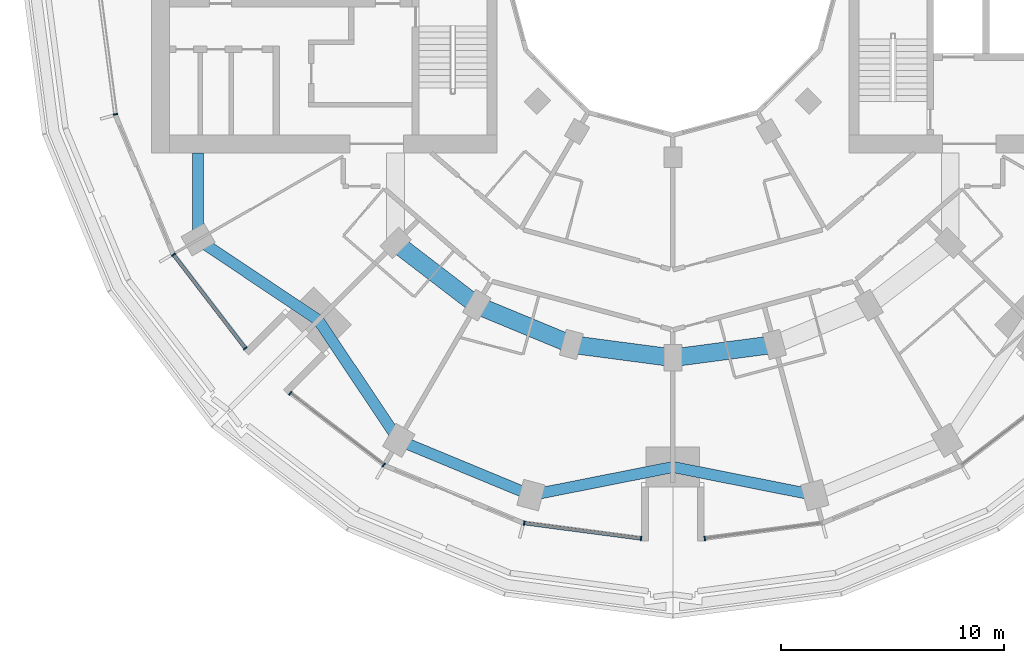
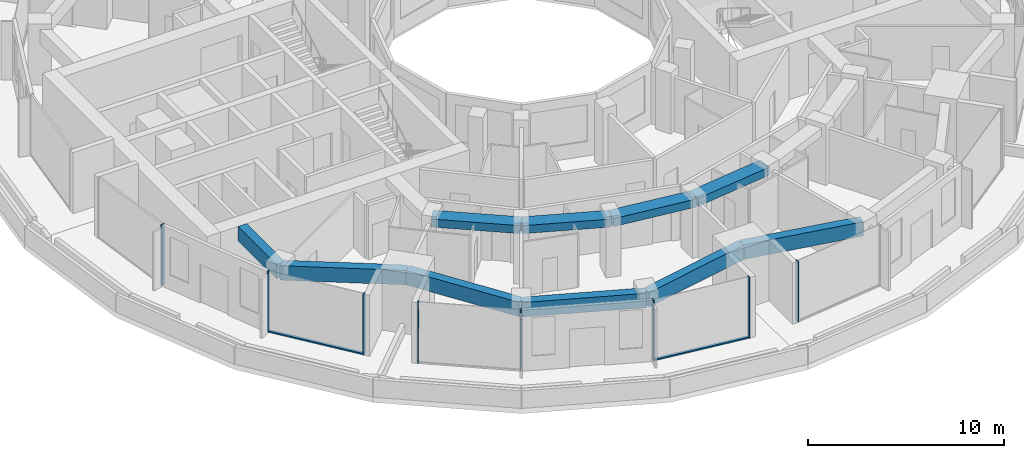
# One storey, part 2 of 19: 10 beams, 10 members, 5 elements without a shape of their own.
"""IFC4 building model written with IfcOpenShell, lengths in metres."""

from ifc_helpers import new_model, si_unit, direction, frame, origin, origin_2d, place, context, subcontext, project, spatial, rectangle, extrude, material, layer, layer_set, material_profile, profile_set, type_object, element, aggregate, save


model = new_model("IFC4")

# Units and contexts
model_context = context("Model", 3, precision=1e-05, world=origin(), true_north=direction((0.0, 1.0)))
body_context = subcontext(model_context, "Body", "Model", "MODEL_VIEW")
ifc_project = project(units=[si_unit("LENGTHUNIT", "METRE"), si_unit("AREAUNIT", "SQUARE_METRE"), si_unit("VOLUMEUNIT", "CUBIC_METRE"), si_unit("PLANEANGLEUNIT", "RADIAN"), si_unit("MASSUNIT", "GRAM", prefix="KILO")], contexts=[model_context])

# Site, building, storey
site_placement = place(None, origin())
site = spatial("IfcSite", under=ifc_project, at=site_placement, CompositionType="ELEMENT")
building_placement = place(site_placement, origin())
building = spatial("IfcBuilding", under=site, at=building_placement, Name="Torre Brocal", CompositionType="ELEMENT")
storey_placement = place(building_placement, frame((0.0, 0.0, 28.800048828125)))
storey = spatial("IfcBuildingStorey", under=building, at=storey_placement, Name="L05", CompositionType="ELEMENT", Elevation=28.800048828125)

# Curtain wall, members
ifc_material_1 = material(Name="Aluminium and glass", Category="aluminium")
ifc_layer_1 = layer(ifc_material_1, 0.199951171875)
ifc_layer_set_1 = layer_set([ifc_layer_1], Name="Aluminium and glass")
curtain_wall_type_1 = type_object("IfcCurtainWallType", Name="CW-1 CURTAIN WALL 3800 HIGH", PredefinedType="NOTDEFINED", material=ifc_layer_set_1)
curtain_wall_1_placement = place(storey_placement, origin())
curtain_wall_1 = element("IfcCurtainWall", 1, at=curtain_wall_1_placement, inside=storey, type_object=curtain_wall_type_1, Name="CW-1 RUN 15", PredefinedType="NOTDEFINED")
ifc_material_2 = material(Name="Aluminium, dark anodised", Category="aluminium")
ifc_material_profile_1 = material_profile(ifc_material_2, rectangle(XDim=0.199951171875, YDim=0.06005859375, at=origin_2d()), Name="CW-1 MULLION 60X200")
ifc_profile_set_1 = profile_set([ifc_material_profile_1], Name="Aluminium, dark anodised")
member_type_1 = type_object("IfcMemberType", Name="CW-1 MULLION 60X200", PredefinedType="MULLION", material=ifc_profile_set_1)
member_1_placement = place(storey_placement, frame((57.5888671875, 62.026611328125, 0.0), z_axis=(0.0, 0.0, 1.0), x_axis=(0.793353340259, 0.60876142905, 0.0)))
member_1 = element("IfcMember", 2, at=member_1_placement, type_object=member_type_1, Name="CW1-1 mullion 1", PredefinedType="MULLION", context=body_context, shape_type="SweptSolid", body=[
    extrude(rectangle(XDim=0.199951171875, YDim=0.06005859375, at=origin_2d()), origin(), (0.0, 0.0, 1.0), 3.800048828125),
])
member_2_placement = place(storey_placement, frame((60.80859375, 57.83056640625, 0.0), z_axis=(0.0, 0.0, 1.0), x_axis=(0.793353340259, 0.60876142905, 0.0)))
member_2 = element("IfcMember", 3, at=member_2_placement, type_object=member_type_1, Name="CW1-1 mullion 2", PredefinedType="MULLION", context=body_context, shape_type="SweptSolid", body=[
    extrude(rectangle(XDim=0.199951171875, YDim=0.06005859375, at=origin_2d()), origin(), (0.0, 0.0, 1.0), 3.800048828125),
])

curtain_wall_2_placement = place(storey_placement, origin())
curtain_wall_2 = element("IfcCurtainWall", 4, at=curtain_wall_2_placement, inside=storey, type_object=curtain_wall_type_1, Name="CW-1 RUN 16", PredefinedType="NOTDEFINED")
member_3_placement = place(storey_placement, frame((62.83056640625, 55.80859375, 0.0), z_axis=(0.0, 0.0, 1.0), x_axis=(0.60876142905, 0.793353340259, 0.0)))
member_3 = element("IfcMember", 5, at=member_3_placement, type_object=member_type_1, Name="CW1-1 mullion 1", PredefinedType="MULLION", context=body_context, shape_type="SweptSolid", body=[
    extrude(rectangle(XDim=0.199951171875, YDim=0.06005859375, at=origin_2d()), origin(), (0.0, 0.0, 1.0), 3.800048828125),
])
member_4_placement = place(storey_placement, frame((67.026611328125, 52.5888671875, 0.0), z_axis=(0.0, 0.0, 1.0), x_axis=(0.60876142905, 0.793353340259, 0.0)))
member_4 = element("IfcMember", 6, at=member_4_placement, type_object=member_type_1, Name="CW1-1 mullion 2", PredefinedType="MULLION", context=body_context, shape_type="SweptSolid", body=[
    extrude(rectangle(XDim=0.199951171875, YDim=0.06005859375, at=origin_2d()), origin(), (0.0, 0.0, 1.0), 3.800048828125),
])
aggregate(curtain_wall_2, [member_3, member_4])

curtain_wall_3_placement = place(storey_placement, origin())
curtain_wall_3 = element("IfcCurtainWall", 7, at=curtain_wall_3_placement, inside=storey, type_object=curtain_wall_type_1, Name="CW-1 RUN 18", PredefinedType="NOTDEFINED")
member_5_placement = place(storey_placement, frame((73.32666015625, 49.9794921875, 0.0), z_axis=(0.0, 0.0, 1.0), x_axis=(0.13052619222, 0.991444861374, 0.0)))
member_5 = element("IfcMember", 8, at=member_5_placement, type_object=member_type_1, Name="CW1-1 mullion 1", PredefinedType="MULLION", context=body_context, shape_type="SweptSolid", body=[
    extrude(rectangle(XDim=0.199951171875, YDim=0.06005859375, at=origin_2d()), origin(), (0.0, 0.0, 1.0), 3.800048828125),
])
member_6_placement = place(storey_placement, frame((78.5703125, 49.2890625, 0.0), z_axis=(0.0, 0.0, 1.0), x_axis=(0.13052619222, 0.991444861374, 0.0)))
member_6 = element("IfcMember", 9, at=member_6_placement, type_object=member_type_1, Name="CW1-1 mullion 2", PredefinedType="MULLION", context=body_context, shape_type="SweptSolid", body=[
    extrude(rectangle(XDim=0.199951171875, YDim=0.06005859375, at=origin_2d()), origin(), (0.0, 0.0, 1.0), 3.800048828125),
])

# Curtain wall, member
curtain_wall_4_placement = place(storey_placement, origin())
curtain_wall_4 = element("IfcCurtainWall", 10, at=curtain_wall_4_placement, inside=storey, type_object=curtain_wall_type_1, Name="CW-1 RUN 19", PredefinedType="NOTDEFINED")
member_7_placement = place(storey_placement, frame((81.4296875, 49.2890625, 0.0), z_axis=(0.0, 0.0, 1.0), x_axis=(-0.13052619222, 0.991444861374, 0.0)))
member_7 = element("IfcMember", 11, at=member_7_placement, type_object=member_type_1, Name="CW1-1 mullion 1", PredefinedType="MULLION", context=body_context, shape_type="SweptSolid", body=[
    extrude(rectangle(XDim=0.199951171875, YDim=0.06005859375, at=origin_2d()), origin(), (0.0, 0.0, 1.0), 3.800048828125),
])
aggregate(curtain_wall_4, [member_7])

# Member
ifc_material_3 = material(Name="Aluminium, dark anodised", Category="aluminium")
ifc_material_profile_2 = material_profile(ifc_material_3, rectangle(XDim=0.159912109375, YDim=0.080078125, at=origin_2d()), Name="CW-1 TRANSOM 160X80")
ifc_profile_set_2 = profile_set([ifc_material_profile_2], Name="Aluminium, dark anodised")
member_type_2 = type_object("IfcMemberType", Name="CW-1 TRANSOM 160X80", PredefinedType="USERDEFINED", material=ifc_profile_set_2)
member_8_placement = place(storey_placement, frame((57.607177734375, 62.0029296875, 0.0400390625), z_axis=(0.60874908096, -0.79336281513, 0.0), x_axis=(0.79336281513, 0.60874908096, 0.0)))
member_8 = element("IfcMember", 12, at=member_8_placement, type_object=member_type_2, Name="CW1-1 transom 1.1", ObjectType="TRANSOM", PredefinedType="USERDEFINED", context=body_context, shape_type="SweptSolid", body=[
    extrude(rectangle(XDim=0.159912109375, YDim=0.080078125, at=origin_2d()), origin(), (0.0, 0.0, 1.0), 5.22900390625),
])

aggregate(curtain_wall_1, [member_1, member_2, member_8])

member_9_placement = place(storey_placement, frame((73.356201171875, 49.9755859375, 0.0400390625), z_axis=(0.991442690863, -0.130542677827, 0.0), x_axis=(0.130542677827, 0.991442690863, 0.0)))
member_9 = element("IfcMember", 13, at=member_9_placement, type_object=member_type_2, Name="CW1-1 transom 1.1", ObjectType="TRANSOM", PredefinedType="USERDEFINED", context=body_context, shape_type="SweptSolid", body=[
    extrude(rectangle(XDim=0.159912109375, YDim=0.080078125, at=origin_2d()), origin(), (0.0, 0.0, 1.0), 5.22900390625),
])

aggregate(curtain_wall_3, [member_5, member_6, member_9])

# Curtain wall, member
ifc_material_4 = material(Name="Aluminium and glass", Category="aluminium")
ifc_layer_2 = layer(ifc_material_4, 0.199951171875)
ifc_layer_set_2 = layer_set([ifc_layer_2], Name="Aluminium and glass")
curtain_wall_type_2 = type_object("IfcCurtainWallType", Name="CW-1B CURTAIN WALL 3800 HIGH", PredefinedType="NOTDEFINED", material=ifc_layer_set_2)
curtain_wall_5_placement = place(storey_placement, origin())
curtain_wall_5 = element("IfcCurtainWall", 14, at=curtain_wall_5_placement, inside=storey, type_object=curtain_wall_type_2, Name="CW-1B RUN 13", PredefinedType="NOTDEFINED")
ifc_material_5 = material(Name="Aluminium, dark anodised", Category="aluminium")
ifc_material_profile_3 = material_profile(ifc_material_5, rectangle(XDim=0.199951171875, YDim=0.06005859375, at=origin_2d()), Name="CW-1B MULLION 60X200")
ifc_profile_set_3 = profile_set([ifc_material_profile_3], Name="Aluminium, dark anodised")
member_type_3 = type_object("IfcMemberType", Name="CW-1B MULLION 60X200", PredefinedType="MULLION", material=ifc_profile_set_3)
member_10_placement = place(storey_placement, frame((54.9794921875, 68.32666015625, 0.0), z_axis=(0.0, 0.0, 1.0), x_axis=(0.991444861374, 0.13052619222, 0.0)))
member_10 = element("IfcMember", 15, at=member_10_placement, type_object=member_type_3, Name="CW1B-1 mullion 2", PredefinedType="MULLION", context=body_context, shape_type="SweptSolid", body=[
    extrude(rectangle(XDim=0.199951171875, YDim=0.06005859375, at=origin_2d()), origin(), (0.0, 0.0, 1.0), 3.800048828125),
])
aggregate(curtain_wall_5, [member_10])

# Beams
ifc_material_6 = material(Name="Concrete C50", Category="concrete")
ifc_material_profile_4 = material_profile(ifc_material_6, rectangle(XDim=0.800048828125, YDim=0.5, at=origin_2d()), Name="RC 800X500")
ifc_profile_set_4 = profile_set([ifc_material_profile_4], Name="Concrete C50")
beam_type_1 = type_object("IfcBeamType", Name="RC BEAM 800X500 C50 TOP 3480", PredefinedType="BEAM", material=ifc_profile_set_4)
beam_1_placement = place(storey_placement, frame((67.554931640625, 62.554931640625, 3.22998046875), z_axis=(0.793358265959, -0.6087550097, 0.0), x_axis=(0.6087550097, 0.793358265959, 0.0)))
element("IfcBeam", 16, at=beam_1_placement, inside=storey, type_object=beam_type_1, Name="Beam BT-19", PredefinedType="BEAM", context=body_context, shape_type="SweptSolid", body=[
    extrude(rectangle(XDim=0.800048828125, YDim=0.5, at=origin_2d()), origin(), (0.0, 0.0, 1.0), 4.594482421875),
])
beam_2_placement = place(storey_placement, frame((71.199951171875, 59.758056640625, 3.22998046875), z_axis=(0.923878240166, -0.382686552348, 0.0), x_axis=(0.382686552348, 0.923878240166, 0.0)))
element("IfcBeam", 17, at=beam_2_placement, inside=storey, type_object=beam_type_1, Name="Beam BT-19", PredefinedType="BEAM", context=body_context, shape_type="SweptSolid", body=[
    extrude(rectangle(XDim=0.800048828125, YDim=0.5, at=origin_2d()), origin(), (0.0, 0.0, 1.0), 4.5947265625),
])
for number, where, z_axis, x_axis, name in (
    (18, (75.44482421875, 57.999755859375, 3.22998046875), (0.991440544449, -0.130558978332, 0.0), (0.130558978332, 0.991440544449, 0.0), "Beam BT-19"),
    (19, (80.0, 57.39990234375, 3.22998046875), (0.991440544449, 0.130558978332, 0.0), (-0.130558978332, 0.991440544449, 0.0), "Beam BT-19"),
):
    element("IfcBeam", number, at=place(storey_placement, frame(where, z_axis=z_axis, x_axis=x_axis)), inside=storey, type_object=beam_type_1, Name=name, PredefinedType="BEAM", context=body_context, shape_type="SweptSolid", body=[
        extrude(rectangle(XDim=0.800048828125, YDim=0.5, at=origin_2d()), origin(), (0.0, 0.0, 1.0), 4.594482421875),
    ])
ifc_material_7 = material(Name="Concrete C50", Category="concrete")
ifc_material_profile_5 = material_profile(ifc_material_7, rectangle(XDim=0.5, YDim=0.89990234375, at=origin_2d()), Name="RC 500X900")
ifc_profile_set_5 = profile_set([ifc_material_profile_5], Name="Concrete C50")
beam_type_2 = type_object("IfcBeamType", Name="RC SPANDREL BEAM 500X900 C50 TOP 3480", PredefinedType="SPANDREL", material=ifc_profile_set_5)
beam_3_placement = place(storey_placement, frame((58.69580078125, 62.699951171875, 3.030029296875), z_axis=(0.0, 1.0, 0.0), x_axis=(-1.0, 0.0, 0.0)))
element("IfcBeam", 20, at=beam_3_placement, inside=storey, type_object=beam_type_2, Name="Beam BT-20", PredefinedType="SPANDREL", context=body_context, shape_type="SweptSolid", body=[
    extrude(rectangle(XDim=0.5, YDim=0.89990234375, at=origin_2d()), origin(), (0.0, 0.0, 1.0), 3.900146484375),
])
for number, where, z_axis, x_axis, name in (
    (21, (58.69580078125, 62.699951171875, 3.030029296875), (0.831076844476, -0.556157602282, 0.0), (0.556157602282, 0.831076844476, 0.0), "Beam BT-20"),
    (22, (64.090087890625, 59.090087890625, 3.030029296875), (0.556157602282, -0.831076844476, 0.0), (0.831076844476, 0.556157602282, 0.0), "Beam BT-20"),
):
    element("IfcBeam", number, at=place(storey_placement, frame(where, z_axis=z_axis, x_axis=x_axis)), inside=storey, type_object=beam_type_2, Name=name, PredefinedType="SPANDREL", context=body_context, shape_type="SweptSolid", body=[
        extrude(rectangle(XDim=0.5, YDim=0.89990234375, at=origin_2d()), origin(), (0.0, 0.0, 1.0), 6.49072265625),
    ])
beam_4_placement = place(storey_placement, frame((67.699951171875, 53.69580078125, 3.030029296875), z_axis=(0.923882462513, -0.382676358639, 0.0), x_axis=(0.382676358639, 0.923882462513, 0.0)))
element("IfcBeam", 23, at=beam_4_placement, inside=storey, type_object=beam_type_2, Name="Beam BT-20", PredefinedType="SPANDREL", context=body_context, shape_type="SweptSolid", body=[
    extrude(rectangle(XDim=0.5, YDim=0.89990234375, at=origin_2d()), origin(), (0.0, 0.0, 1.0), 6.421875),
])
for number, where, z_axis, x_axis, name in (
    (24, (73.633056640625, 51.23828125, 3.030029296875), (0.980924907484, 0.194387051723, 0.0), (-0.194387051723, 0.980924907484, 0.0), "Beam BT-20"),
    (25, (80.0, 52.5, 3.030029296875), (0.980924907484, -0.194387051723, 0.0), (0.194387051723, 0.980924907484, 0.0), "Beam BT-20"),
):
    element("IfcBeam", number, at=place(storey_placement, frame(where, z_axis=z_axis, x_axis=x_axis)), inside=storey, type_object=beam_type_2, Name=name, PredefinedType="SPANDREL", context=body_context, shape_type="SweptSolid", body=[
        extrude(rectangle(XDim=0.5, YDim=0.89990234375, at=origin_2d()), origin(), (0.0, 0.0, 1.0), 6.49072265625),
    ])

save(model, "model.ifc")
